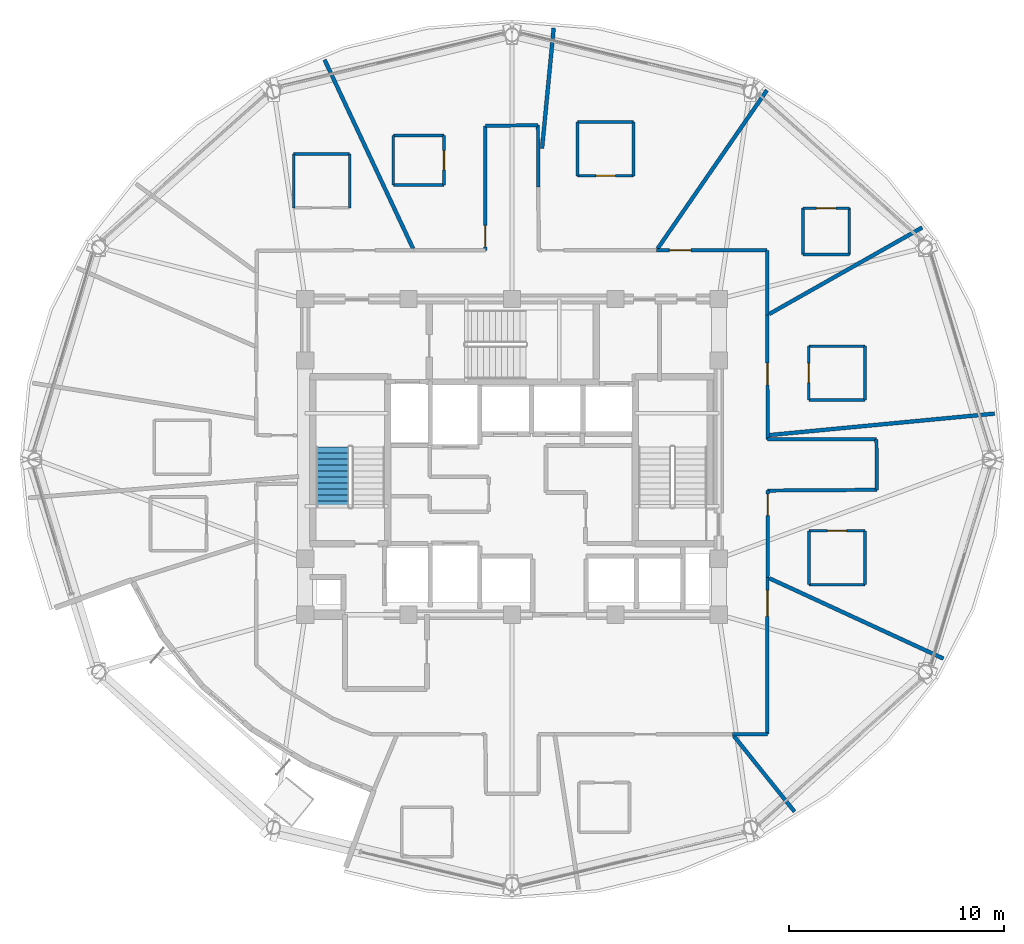
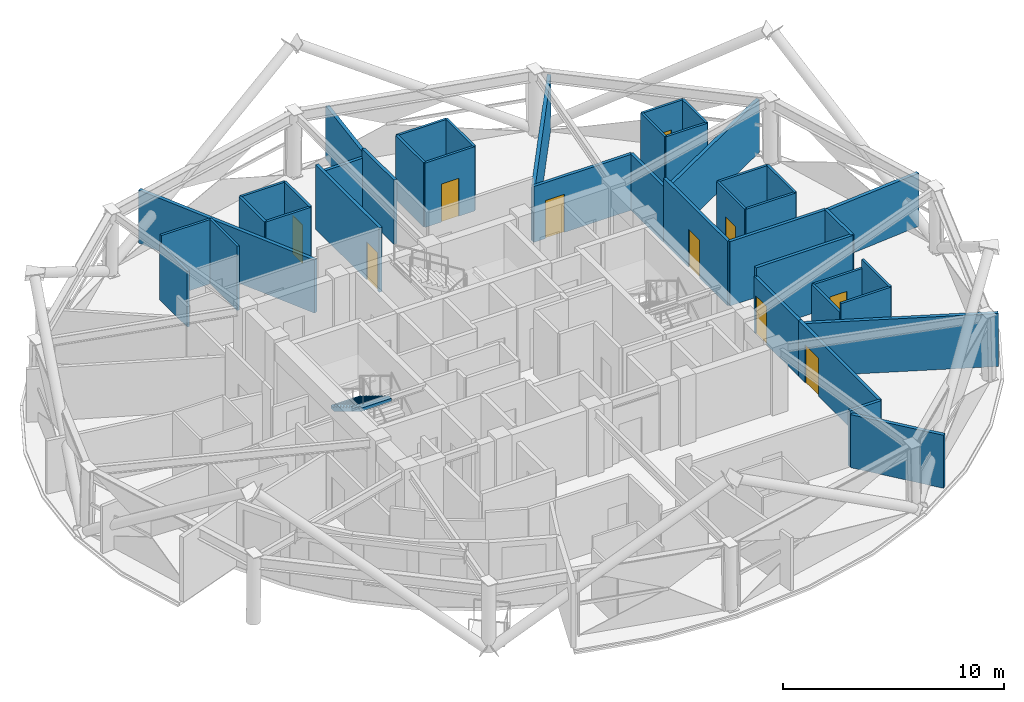
# One storey, part 13 of 18: 42 walls, 10 doors, 1 stair flight, 10 openings, 1 element without a shape of its own.
"""IFC4 building model written with IfcOpenShell, lengths in metres."""

from ifc_helpers import new_model, si_unit, direction, frame, frame_2d, origin, place, context, subcontext, project, spatial, polyline, rectangle, outline, extrude, material, layer, layer_set, type_object, element, fill, aggregate, save


model = new_model("IFC4")

# Units and contexts
model_context = context("Model", 3, precision=1e-05, world=origin(), true_north=direction((0.0, 1.0)))
body_context = subcontext(model_context, "Body", "Model", "MODEL_VIEW")
ifc_project = project(units=[si_unit("LENGTHUNIT", "METRE"), si_unit("AREAUNIT", "SQUARE_METRE"), si_unit("VOLUMEUNIT", "CUBIC_METRE"), si_unit("PLANEANGLEUNIT", "RADIAN"), si_unit("MASSUNIT", "GRAM", prefix="KILO")], contexts=[model_context])

# Site, building, storey
site_placement = place(None, origin())
site = spatial("IfcSite", under=ifc_project, at=site_placement, CompositionType="ELEMENT")
building_placement = place(site_placement, origin())
building = spatial("IfcBuilding", under=site, at=building_placement, Name="Vantalir Tower", CompositionType="ELEMENT")
storey_placement = place(building_placement, frame((0.0, 0.0, 212.39990234375)))
storey = spatial("IfcBuildingStorey", under=building, at=storey_placement, Name="L53", CompositionType="ELEMENT", Elevation=212.39990234375)

# Walls
ifc_material_1 = material(Name="Moisture-resistant en-suite partition", Category="gypsum")
ifc_layer_1 = layer(ifc_material_1, 0.125)
ifc_layer_set_1 = layer_set([ifc_layer_1], Name="Moisture-resistant en-suite partition")
wall_type_1 = type_object("IfcWallType", Name="WL-BATH-125", PredefinedType="PARTITIONING", material=ifc_layer_set_1)
for number, where, z_axis, x_axis, name in (
    (1, (45.280029296875, 27.76611328125, 0.0), (0.0, 0.0, 1.0), (1.0, 0.0, 0.0), "L53 En-suite 01 South Wall"),
    (2, (45.280029296875, 30.26611328125, 0.0), (0.0, 0.0, 1.0), (1.0, 0.0, 0.0), "L53 En-suite 01 North Wall"),
):
    element("IfcWall", number, at=place(storey_placement, frame(where, z_axis=z_axis, x_axis=x_axis)), inside=storey, type_object=wall_type_1, Name=name, PredefinedType="PARTITIONING", context=body_context, shape_type="SweptSolid", body=[
        extrude(rectangle(XDim=2.599853515625, YDim=0.125, at=frame_2d((1.2998046875, 0.0))), origin(), (0.0, 0.0, 1.0), 3.550048828125),
    ])

# Wall, opening, door
wall_1_placement = place(storey_placement, frame((45.280029296875, 27.76611328125, 0.0), z_axis=(0.0, 0.0, 1.0), x_axis=(0.0, 1.0, 0.0)))
wall_1 = element("IfcWall", 3, at=wall_1_placement, inside=storey, type_object=wall_type_1, Name="L53 En-suite 01 West Wall", PredefinedType="PARTITIONING", context=body_context, shape_type="SweptSolid", body=[
    extrude(rectangle(XDim=2.5, YDim=0.125, at=frame_2d((1.25, 0.0))), origin(), (0.0, 0.0, 1.0), 3.550048828125),
])
opening_1_placement = place(wall_1_placement, frame((0.800048828125, 0.0, 0.0)))
opening_1 = element("IfcOpeningElement", 4, at=opening_1_placement, cuts=wall_1, Name="Opening D-WC", PredefinedType="OPENING", context=body_context, shape_type="SweptSolid", body=[
    extrude(rectangle(XDim=0.89990234375, YDim=2.10009765625, at=frame_2d((0.449951171875, 1.050048828125))), frame((0.0, 0.072509765625, 0.0), z_axis=(0.0, -1.0, 0.0), x_axis=(1.0, 0.0, 0.0)), (0.0, 0.0, 1.0), 0.14501953125),
])
ifc_material_2 = material(Name="Moisture-resistant hardwood door", Category="wood")
door_type_1 = type_object("IfcDoorType", Name="DR-ENSUITE-900", OperationType="NOTDEFINED", PredefinedType="DOOR", material=ifc_material_2)
door_1_placement = place(opening_1_placement, frame((0.89990234375, 0.0, 0.0), z_axis=(0.0, 0.0, 1.0), x_axis=(-1.0, 0.0, 0.0)))
door_1 = element("IfcDoor", 5, at=door_1_placement, inside=storey, type_object=door_type_1, Name="L53 En-suite 01 Door", OperationType="SINGLE_SWING_LEFT", OverallHeight=2.10009765625, OverallWidth=0.89990234375, PredefinedType="DOOR", context=body_context, shape_type="SweptSolid", body=[
    extrude(rectangle(XDim=0.89990234375, YDim=2.10009765625, at=frame_2d((0.449951171875, 1.050048828125))), frame((0.0, 0.02490234375, 0.0), z_axis=(0.0, -1.0, 0.0), x_axis=(1.0, 0.0, 0.0)), (0.0, 0.0, 1.0), 0.050048828125),
])
fill(opening_1, door_1)

# Walls
wall_2_placement = place(storey_placement, frame((47.8798828125, 27.76611328125, 0.0), z_axis=(0.0, 0.0, 1.0), x_axis=(0.0, 1.0, 0.0)))
element("IfcWall", 6, at=wall_2_placement, inside=storey, type_object=wall_type_1, Name="L53 En-suite 01 East Wall", PredefinedType="PARTITIONING", context=body_context, shape_type="SweptSolid", body=[
    extrude(rectangle(XDim=2.5, YDim=0.125, at=frame_2d((1.25, 0.0))), origin(), (0.0, 0.0, 1.0), 3.550048828125),
])
wall_3_placement = place(storey_placement, frame((45.0048828125, 34.51806640625, 0.0), z_axis=(0.0, 0.0, 1.0), x_axis=(1.0, 0.0, 0.0)))
element("IfcWall", 7, at=wall_3_placement, inside=storey, type_object=wall_type_1, Name="L53 En-suite 02 South Wall", PredefinedType="PARTITIONING", context=body_context, shape_type="SweptSolid", body=[
    extrude(rectangle(XDim=2.150146484375, YDim=0.125, at=frame_2d((1.0751953125, 0.0))), origin(), (0.0, 0.0, 1.0), 3.550048828125),
])

# Wall, opening, door
wall_4_placement = place(storey_placement, frame((45.0048828125, 36.66796875, 0.0), z_axis=(0.0, 0.0, 1.0), x_axis=(1.0, 0.0, 0.0)))
wall_4 = element("IfcWall", 8, at=wall_4_placement, inside=storey, type_object=wall_type_1, Name="L53 En-suite 02 North Wall", PredefinedType="PARTITIONING", context=body_context, shape_type="SweptSolid", body=[
    extrude(rectangle(XDim=2.150146484375, YDim=0.125, at=frame_2d((1.0751953125, 0.0))), origin(), (0.0, 0.0, 1.0), 3.550048828125),
])
opening_2_placement = place(wall_4_placement, frame((0.625, 0.0, 0.0)))
opening_2 = element("IfcOpeningElement", 9, at=opening_2_placement, cuts=wall_4, Name="Opening D-WC", PredefinedType="OPENING", context=body_context, shape_type="SweptSolid", body=[
    extrude(rectangle(XDim=0.89990234375, YDim=2.10009765625, at=frame_2d((0.449951171875, 1.050048828125))), frame((0.0, 0.072509765625, 0.0), z_axis=(0.0, -1.0, 0.0), x_axis=(1.0, 0.0, 0.0)), (0.0, 0.0, 1.0), 0.14501953125),
])
door_2_placement = place(opening_2_placement, frame((0.89990234375, 0.0, 0.0), z_axis=(0.0, 0.0, 1.0), x_axis=(-1.0, 0.0, 0.0)))
door_2 = element("IfcDoor", 10, at=door_2_placement, inside=storey, type_object=door_type_1, Name="L53 En-suite 02 Door", OperationType="SINGLE_SWING_RIGHT", OverallHeight=2.10009765625, OverallWidth=0.89990234375, PredefinedType="DOOR", context=body_context, shape_type="SweptSolid", body=[
    extrude(rectangle(XDim=0.89990234375, YDim=2.10009765625, at=frame_2d((0.449951171875, 1.050048828125))), frame((0.0, 0.02490234375, 0.0), z_axis=(0.0, -1.0, 0.0), x_axis=(1.0, 0.0, 0.0)), (0.0, 0.0, 1.0), 0.050048828125),
])
fill(opening_2, door_2)

# Walls
for number, where, z_axis, x_axis, name in (
    (11, (45.0048828125, 34.51806640625, 0.0), (0.0, 0.0, 1.0), (0.0, 1.0, 0.0), "L53 En-suite 02 West Wall"),
    (12, (47.155029296875, 34.51806640625, 0.0), (0.0, 0.0, 1.0), (0.0, 1.0, 0.0), "L53 En-suite 02 East Wall"),
):
    element("IfcWall", number, at=place(storey_placement, frame(where, z_axis=z_axis, x_axis=x_axis)), inside=storey, type_object=wall_type_1, Name=name, PredefinedType="PARTITIONING", context=body_context, shape_type="SweptSolid", body=[
        extrude(rectangle(XDim=2.14990234375, YDim=0.125, at=frame_2d((1.074951171875, 0.0))), origin(), (0.0, 0.0, 1.0), 3.550048828125),
    ])

# Wall, opening, door
wall_5_placement = place(storey_placement, frame((34.54296875, 38.172119140625, 0.0), z_axis=(0.0, 0.0, 1.0), x_axis=(1.0, 0.0, 0.0)))
wall_5 = element("IfcWall", 13, at=wall_5_placement, inside=storey, type_object=wall_type_1, Name="L53 En-suite 03 South Wall", PredefinedType="PARTITIONING", context=body_context, shape_type="SweptSolid", body=[
    extrude(rectangle(XDim=2.60009765625, YDim=0.125, at=frame_2d((1.300048828125, 0.0))), origin(), (0.0, 0.0, 1.0), 3.550048828125),
])
opening_3_placement = place(wall_5_placement, frame((0.85009765625, 0.0, 0.0)))
opening_3 = element("IfcOpeningElement", 14, at=opening_3_placement, cuts=wall_5, Name="Opening D-WC", PredefinedType="OPENING", context=body_context, shape_type="SweptSolid", body=[
    extrude(rectangle(XDim=0.89990234375, YDim=2.10009765625, at=frame_2d((0.449951171875, 1.050048828125))), frame((0.0, 0.072509765625, 0.0), z_axis=(0.0, -1.0, 0.0), x_axis=(1.0, 0.0, 0.0)), (0.0, 0.0, 1.0), 0.14501953125),
])
door_3_placement = place(opening_3_placement, origin())
door_3 = element("IfcDoor", 15, at=door_3_placement, inside=storey, type_object=door_type_1, Name="L53 En-suite 03 Door", OperationType="SINGLE_SWING_LEFT", OverallHeight=2.10009765625, OverallWidth=0.89990234375, PredefinedType="DOOR", context=body_context, shape_type="SweptSolid", body=[
    extrude(rectangle(XDim=0.89990234375, YDim=2.10009765625, at=frame_2d((0.449951171875, 1.050048828125))), frame((0.0, 0.02490234375, 0.0), z_axis=(0.0, -1.0, 0.0), x_axis=(1.0, 0.0, 0.0)), (0.0, 0.0, 1.0), 0.050048828125),
])
fill(opening_3, door_3)

# Walls
wall_6_placement = place(storey_placement, frame((34.54296875, 40.672119140625, 0.0), z_axis=(0.0, 0.0, 1.0), x_axis=(1.0, 0.0, 0.0)))
element("IfcWall", 16, at=wall_6_placement, inside=storey, type_object=wall_type_1, Name="L53 En-suite 03 North Wall", PredefinedType="PARTITIONING", context=body_context, shape_type="SweptSolid", body=[
    extrude(rectangle(XDim=2.60009765625, YDim=0.125, at=frame_2d((1.300048828125, 0.0))), origin(), (0.0, 0.0, 1.0), 3.550048828125),
])
for number, where, z_axis, x_axis, name in (
    (17, (34.54296875, 38.172119140625, 0.0), (0.0, 0.0, 1.0), (0.0, 1.0, 0.0), "L53 En-suite 03 West Wall"),
    (18, (37.14306640625, 38.172119140625, 0.0), (0.0, 0.0, 1.0), (0.0, 1.0, 0.0), "L53 En-suite 03 East Wall"),
):
    element("IfcWall", number, at=place(storey_placement, frame(where, z_axis=z_axis, x_axis=x_axis)), inside=storey, type_object=wall_type_1, Name=name, PredefinedType="PARTITIONING", context=body_context, shape_type="SweptSolid", body=[
        extrude(rectangle(XDim=2.5, YDim=0.125, at=frame_2d((1.25, 0.0))), origin(), (0.0, 0.0, 1.0), 3.550048828125),
    ])
for number, where, z_axis, x_axis, name in (
    (19, (25.9951171875, 37.742919921875, 0.0), (0.0, 0.0, 1.0), (1.0, 0.0, 0.0), "L53 En-suite 04 South Wall"),
    (20, (25.9951171875, 40.04296875, 0.0), (0.0, 0.0, 1.0), (1.0, 0.0, 0.0), "L53 En-suite 04 North Wall"),
):
    element("IfcWall", number, at=place(storey_placement, frame(where, z_axis=z_axis, x_axis=x_axis)), inside=storey, type_object=wall_type_1, Name=name, PredefinedType="PARTITIONING", context=body_context, shape_type="SweptSolid", body=[
        extrude(rectangle(XDim=2.349853515625, YDim=0.125, at=frame_2d((1.1748046875, 0.0))), origin(), (0.0, 0.0, 1.0), 3.550048828125),
    ])
wall_7_placement = place(storey_placement, frame((25.9951171875, 37.742919921875, 0.0), z_axis=(0.0, 0.0, 1.0), x_axis=(0.0, 1.0, 0.0)))
element("IfcWall", 21, at=wall_7_placement, inside=storey, type_object=wall_type_1, Name="L53 En-suite 04 West Wall", PredefinedType="PARTITIONING", context=body_context, shape_type="SweptSolid", body=[
    extrude(rectangle(XDim=2.300048828125, YDim=0.125, at=frame_2d((1.14990234375, 0.0))), origin(), (0.0, 0.0, 1.0), 3.550048828125),
])

# Wall, opening, door
wall_8_placement = place(storey_placement, frame((28.344970703125, 37.742919921875, 0.0), z_axis=(0.0, 0.0, 1.0), x_axis=(0.0, 1.0, 0.0)))
wall_8 = element("IfcWall", 22, at=wall_8_placement, inside=storey, type_object=wall_type_1, Name="L53 En-suite 04 East Wall", PredefinedType="PARTITIONING", context=body_context, shape_type="SweptSolid", body=[
    extrude(rectangle(XDim=2.300048828125, YDim=0.125, at=frame_2d((1.14990234375, 0.0))), origin(), (0.0, 0.0, 1.0), 3.550048828125),
])
opening_4_placement = place(wall_8_placement, frame((0.699951171875, 0.0, 0.0)))
opening_4 = element("IfcOpeningElement", 23, at=opening_4_placement, cuts=wall_8, Name="Opening D-WC", PredefinedType="OPENING", context=body_context, shape_type="SweptSolid", body=[
    extrude(rectangle(XDim=0.89990234375, YDim=2.10009765625, at=frame_2d((0.449951171875, 1.050048828125))), frame((0.0, 0.072509765625, 0.0), z_axis=(0.0, -1.0, 0.0), x_axis=(1.0, 0.0, 0.0)), (0.0, 0.0, 1.0), 0.14501953125),
])
door_4_placement = place(opening_4_placement, origin())
door_4 = element("IfcDoor", 24, at=door_4_placement, inside=storey, type_object=door_type_1, Name="L53 En-suite 04 Door", OperationType="SINGLE_SWING_RIGHT", OverallHeight=2.10009765625, OverallWidth=0.89990234375, PredefinedType="DOOR", context=body_context, shape_type="SweptSolid", body=[
    extrude(rectangle(XDim=0.89990234375, YDim=2.10009765625, at=frame_2d((0.449951171875, 1.050048828125))), frame((0.0, 0.02490234375, 0.0), z_axis=(0.0, -1.0, 0.0), x_axis=(1.0, 0.0, 0.0)), (0.0, 0.0, 1.0), 0.050048828125),
])
fill(opening_4, door_4)

# Walls
wall_9_placement = place(storey_placement, frame((21.364990234375, 39.18310546875, 0.0), z_axis=(0.0, 0.0, 1.0), x_axis=(1.0, 0.0, 0.0)))
element("IfcWall", 25, at=wall_9_placement, inside=storey, type_object=wall_type_1, Name="L53 En-suite 05 North Wall", PredefinedType="PARTITIONING", context=body_context, shape_type="SweptSolid", body=[
    extrude(rectangle(XDim=2.60009765625, YDim=0.125, at=frame_2d((1.300048828125, 0.0))), origin(), (0.0, 0.0, 1.0), 3.550048828125),
])
wall_10_placement = place(storey_placement, frame((21.364990234375, 36.68310546875, 0.0), z_axis=(0.0, 0.0, 1.0), x_axis=(0.0, 1.0, 0.0)))
element("IfcWall", 26, at=wall_10_placement, inside=storey, type_object=wall_type_1, Name="L53 En-suite 05 West Wall", PredefinedType="PARTITIONING", context=body_context, shape_type="SweptSolid", body=[
    extrude(rectangle(XDim=2.5, YDim=0.125, at=frame_2d((1.25, 0.0))), origin(), (0.0, 0.0, 1.0), 3.0810546875),
])
wall_11_placement = place(storey_placement, frame((23.965087890625, 36.68310546875, 0.0), z_axis=(0.0, 0.0, 1.0), x_axis=(0.0, 1.0, 0.0)))
element("IfcWall", 27, at=wall_11_placement, inside=storey, type_object=wall_type_1, Name="L53 En-suite 05 East Wall", PredefinedType="PARTITIONING", context=body_context, shape_type="SweptSolid", body=[
    extrude(rectangle(XDim=2.5, YDim=0.125, at=frame_2d((1.25, 0.0))), origin(), (0.0, 0.0, 1.0), 3.550048828125),
])
wall_12_placement = place(storey_placement, frame((45.282958984375, 19.18994140625, 0.0), z_axis=(0.0, 0.0, 1.0), x_axis=(1.0, 0.0, 0.0)))
element("IfcWall", 28, at=wall_12_placement, inside=storey, type_object=wall_type_1, Name="L53 En-suite 14 South Wall", PredefinedType="PARTITIONING", context=body_context, shape_type="SweptSolid", body=[
    extrude(rectangle(XDim=2.60009765625, YDim=0.125, at=frame_2d((1.300048828125, 0.0))), origin(), (0.0, 0.0, 1.0), 3.550048828125),
])

# Wall, opening, door
wall_13_placement = place(storey_placement, frame((45.282958984375, 21.68994140625, 0.0), z_axis=(0.0, 0.0, 1.0), x_axis=(1.0, 0.0, 0.0)))
wall_13 = element("IfcWall", 29, at=wall_13_placement, inside=storey, type_object=wall_type_1, Name="L53 En-suite 14 North Wall", PredefinedType="PARTITIONING", context=body_context, shape_type="SweptSolid", body=[
    extrude(rectangle(XDim=2.60009765625, YDim=0.125, at=frame_2d((1.300048828125, 0.0))), origin(), (0.0, 0.0, 1.0), 3.0810546875),
])
opening_5_placement = place(wall_13_placement, frame((0.85009765625, 0.0, 0.0)))
opening_5 = element("IfcOpeningElement", 30, at=opening_5_placement, cuts=wall_13, Name="Opening D-WC", PredefinedType="OPENING", context=body_context, shape_type="SweptSolid", body=[
    extrude(rectangle(XDim=0.89990234375, YDim=2.10009765625, at=frame_2d((0.449951171875, 1.050048828125))), frame((0.0, 0.072509765625, 0.0), z_axis=(0.0, -1.0, 0.0), x_axis=(1.0, 0.0, 0.0)), (0.0, 0.0, 1.0), 0.14501953125),
])
door_5_placement = place(opening_5_placement, frame((0.89990234375, 0.0, 0.0), z_axis=(0.0, 0.0, 1.0), x_axis=(-1.0, 0.0, 0.0)))
door_5 = element("IfcDoor", 31, at=door_5_placement, inside=storey, type_object=door_type_1, Name="L53 En-suite 14 Door", OperationType="SINGLE_SWING_RIGHT", OverallHeight=2.10009765625, OverallWidth=0.89990234375, PredefinedType="DOOR", context=body_context, shape_type="SweptSolid", body=[
    extrude(rectangle(XDim=0.89990234375, YDim=2.10009765625, at=frame_2d((0.449951171875, 1.050048828125))), frame((0.0, 0.02490234375, 0.0), z_axis=(0.0, -1.0, 0.0), x_axis=(1.0, 0.0, 0.0)), (0.0, 0.0, 1.0), 0.050048828125),
])
fill(opening_5, door_5)

# Walls
wall_14_placement = place(storey_placement, frame((45.282958984375, 19.18994140625, 0.0), z_axis=(0.0, 0.0, 1.0), x_axis=(0.0, 1.0, 0.0)))
element("IfcWall", 32, at=wall_14_placement, inside=storey, type_object=wall_type_1, Name="L53 En-suite 14 West Wall", PredefinedType="PARTITIONING", context=body_context, shape_type="SweptSolid", body=[
    extrude(rectangle(XDim=2.5, YDim=0.125, at=frame_2d((1.25, 0.0))), origin(), (0.0, 0.0, 1.0), 3.0810546875),
])
wall_15_placement = place(storey_placement, frame((47.883056640625, 19.18994140625, 0.0), z_axis=(0.0, 0.0, 1.0), x_axis=(0.0, 1.0, 0.0)))
element("IfcWall", 33, at=wall_15_placement, inside=storey, type_object=wall_type_1, Name="L53 En-suite 14 East Wall", PredefinedType="PARTITIONING", context=body_context, shape_type="SweptSolid", body=[
    extrude(rectangle(XDim=2.5, YDim=0.125, at=frame_2d((1.25, 0.0))), origin(), (0.0, 0.0, 1.0), 3.550048828125),
])

# Wall, opening, door
ifc_material_3 = material(Name="Fire-rated hotel corridor acoustic partition", Category="gypsum")
ifc_layer_2 = layer(ifc_material_3, 0.159912109375)
ifc_layer_set_2 = layer_set([ifc_layer_2], Name="Fire-rated hotel corridor acoustic partition")
wall_type_2 = type_object("IfcWallType", Name="WL-CORR-160", PredefinedType="PARTITIONING", material=ifc_layer_set_2)
wall_16_placement = place(storey_placement, frame((30.260009765625, 34.715087890625, 0.0), z_axis=(0.0, 0.0, 1.0), x_axis=(0.000507142188, 0.999999871403, 0.0)))
wall_16 = element("IfcWall", 34, at=wall_16_placement, inside=storey, type_object=wall_type_2, Name="L53 Corridor Partition 08", PredefinedType="PARTITIONING", context=body_context, shape_type="SweptSolid", body=[
    extrude(rectangle(XDim=5.77685546875, YDim=0.159912109375, at=frame_2d((2.888427734375, 0.0))), origin(), (0.0, 0.0, 1.0), 3.550048828125),
])
opening_6_placement = place(wall_16_placement, frame((0.159912109375, 0.0, 0.0)))
opening_6 = element("IfcOpeningElement", 35, at=opening_6_placement, cuts=wall_16, Name="Opening D-GUEST", PredefinedType="OPENING", context=body_context, shape_type="SweptSolid", body=[
    extrude(rectangle(XDim=1.0, YDim=2.10009765625, at=frame_2d((0.5, 1.050048828125))), frame((0.0, 0.08984375, 0.0), z_axis=(0.0, -1.0, 0.0), x_axis=(1.0, 0.0, 0.0)), (0.0, 0.0, 1.0), 0.179931640625),
])
ifc_material_4 = material(Name="Solid-core teak veneer acoustic fire door", Category="wood")
door_type_2 = type_object("IfcDoorType", Name="DR-GUEST-ENTRY-1000", OperationType="NOTDEFINED", PredefinedType="DOOR", material=ifc_material_4)
door_6_placement = place(opening_6_placement, origin())
door_6 = element("IfcDoor", 36, at=door_6_placement, inside=storey, type_object=door_type_2, Name="L53 Deluxe King Hotel Room 04 Door", OperationType="SINGLE_SWING_LEFT", OverallHeight=2.10009765625, OverallWidth=1.0, PredefinedType="DOOR", context=body_context, shape_type="SweptSolid", body=[
    extrude(rectangle(XDim=1.0, YDim=2.10009765625, at=frame_2d((0.5, 1.050048828125))), frame((0.0, 0.02490234375, 0.0), z_axis=(0.0, -1.0, 0.0), x_axis=(1.0, 0.0, 0.0)), (0.0, 0.0, 1.0), 0.050048828125),
])
fill(opening_6, door_6)

# Walls
wall_17_placement = place(storey_placement, frame((30.262939453125, 40.491943359375, 0.0), z_axis=(0.0, 0.0, 1.0), x_axis=(0.999946948611, 0.010300483619, 0.0)))
element("IfcWall", 37, at=wall_17_placement, inside=storey, type_object=wall_type_2, Name="L53 Corridor Partition 09", PredefinedType="PARTITIONING", context=body_context, shape_type="SweptSolid", body=[
    extrude(rectangle(XDim=2.44140625, YDim=0.159912109375, at=frame_2d((1.220703125, 0.0))), origin(), (0.0, 0.0, 1.0), 3.0810546875),
])
wall_18_placement = place(storey_placement, frame((32.7041015625, 40.51708984375, 0.0), z_axis=(0.0, 0.0, 1.0), x_axis=(0.006198929807, -0.99998078645, 0.0)))
element("IfcWall", 38, at=wall_18_placement, inside=storey, type_object=wall_type_2, Name="L53 Corridor Partition 10", PredefinedType="PARTITIONING", context=body_context, shape_type="SweptSolid", body=[
    extrude(rectangle(XDim=2.875, YDim=0.159912109375, at=frame_2d((1.4375, 0.0))), origin(), (0.0, 0.0, 1.0), 3.550048828125),
])

# Wall, opening, door
wall_19_placement = place(storey_placement, frame((38.202880859375, 34.7119140625, 0.0), z_axis=(0.0, 0.0, 1.0), x_axis=(0.999999711676, -0.000759373298, 0.0)))
wall_19 = element("IfcWall", 39, at=wall_19_placement, inside=storey, type_object=wall_type_2, Name="L53 Corridor Partition 13", PredefinedType="PARTITIONING", context=body_context, shape_type="SweptSolid", body=[
    extrude(rectangle(XDim=5.14404296875, YDim=0.159912109375, at=frame_2d((2.572021484375, 0.0))), origin(), (0.0, 0.0, 1.0), 3.0810546875),
])
opening_7_placement = place(wall_19_placement, frame((0.60107421875, 0.0, 0.0)))
opening_7 = element("IfcOpeningElement", 40, at=opening_7_placement, cuts=wall_19, Name="Opening D-GUEST", PredefinedType="OPENING", context=body_context, shape_type="SweptSolid", body=[
    extrude(rectangle(XDim=1.0, YDim=2.10009765625, at=frame_2d((0.5, 1.050048828125))), frame((0.0, 0.08984375, 0.0), z_axis=(0.0, -1.0, 0.0), x_axis=(1.0, 0.0, 0.0)), (0.0, 0.0, 1.0), 0.179931640625),
])
door_7_placement = place(opening_7_placement, origin())
door_7 = element("IfcDoor", 41, at=door_7_placement, inside=storey, type_object=door_type_2, Name="L53 Deluxe King Hotel Room 02 Door", OperationType="SINGLE_SWING_LEFT", OverallHeight=2.10009765625, OverallWidth=1.0, PredefinedType="DOOR", context=body_context, shape_type="SweptSolid", body=[
    extrude(rectangle(XDim=1.0, YDim=2.10009765625, at=frame_2d((0.5, 1.050048828125))), frame((0.0, 0.02490234375, 0.0), z_axis=(0.0, -1.0, 0.0), x_axis=(1.0, 0.0, 0.0)), (0.0, 0.0, 1.0), 0.050048828125),
])
fill(opening_7, door_7)

# Wall
wall_20_placement = place(storey_placement, frame((43.346923828125, 34.7080078125, 0.0), z_axis=(0.0, 0.0, 1.0), x_axis=(0.00203317732, -0.999997933093, 0.0)))
element("IfcWall", 42, at=wall_20_placement, inside=storey, type_object=wall_type_2, Name="L53 Corridor Partition 14", PredefinedType="PARTITIONING", context=body_context, shape_type="SweptSolid", body=[
    extrude(rectangle(XDim=3.001953125, YDim=0.159912109375, at=frame_2d((1.5009765625, 0.0))), origin(), (0.0, 0.0, 1.0), 3.0810546875),
])

# Wall, opening, door
wall_21_placement = place(storey_placement, frame((43.35302734375, 31.7060546875, 0.0), z_axis=(0.0, 0.0, 1.0), x_axis=(0.002074684332, -0.99999784784, 0.0)))
wall_21 = element("IfcWall", 43, at=wall_21_placement, inside=storey, type_object=wall_type_2, Name="L53 Corridor Partition 15", PredefinedType="PARTITIONING", context=body_context, shape_type="SweptSolid", body=[
    extrude(rectangle(XDim=5.76611328125, YDim=0.159912109375, at=frame_2d((2.883056640625, 0.0))), origin(), (0.0, 0.0, 1.0), 3.550048828125),
])
opening_8_placement = place(wall_21_placement, frame((2.235107421875, 0.0, 0.0)))
opening_8 = element("IfcOpeningElement", 44, at=opening_8_placement, cuts=wall_21, Name="Opening D-GUEST", PredefinedType="OPENING", context=body_context, shape_type="SweptSolid", body=[
    extrude(rectangle(XDim=1.0, YDim=2.10009765625, at=frame_2d((0.5, 1.050048828125))), frame((0.0, 0.08984375, 0.0), z_axis=(0.0, -1.0, 0.0), x_axis=(1.0, 0.0, 0.0)), (0.0, 0.0, 1.0), 0.179931640625),
])
door_8_placement = place(opening_8_placement, origin())
door_8 = element("IfcDoor", 45, at=door_8_placement, inside=storey, type_object=door_type_2, Name="L53 Twin Queen Hotel Room 01 Door", OperationType="SINGLE_SWING_RIGHT", OverallHeight=2.10009765625, OverallWidth=1.0, PredefinedType="DOOR", context=body_context, shape_type="SweptSolid", body=[
    extrude(rectangle(XDim=1.0, YDim=2.10009765625, at=frame_2d((0.5, 1.050048828125))), frame((0.0, 0.02490234375, 0.0), z_axis=(0.0, -1.0, 0.0), x_axis=(1.0, 0.0, 0.0)), (0.0, 0.0, 1.0), 0.050048828125),
])
fill(opening_8, door_8)

# Walls
wall_22_placement = place(storey_placement, frame((43.364990234375, 25.93994140625, 0.0), z_axis=(0.0, 0.0, 1.0), x_axis=(0.999999831724, -0.000580130432, 0.0)))
element("IfcWall", 46, at=wall_22_placement, inside=storey, type_object=wall_type_2, Name="L53 Corridor Partition 16", PredefinedType="PARTITIONING", context=body_context, shape_type="SweptSolid", body=[
    extrude(rectangle(XDim=5.050048828125, YDim=0.159912109375, at=frame_2d((2.52490234375, 0.0))), origin(), (0.0, 0.0, 1.0), 3.550048828125),
])
wall_23_placement = place(storey_placement, frame((48.4150390625, 25.93701171875, 0.0), z_axis=(0.0, 0.0, 1.0), x_axis=(0.010636586698, -0.999943429912, 0.0)))
element("IfcWall", 47, at=wall_23_placement, inside=storey, type_object=wall_type_2, Name="L53 Corridor Partition 17", PredefinedType="PARTITIONING", context=body_context, shape_type="SweptSolid", body=[
    extrude(rectangle(XDim=2.34130859375, YDim=0.159912109375, at=frame_2d((1.170654296875, 0.0))), origin(), (0.0, 0.0, 1.0), 3.550048828125),
])
wall_24_placement = place(storey_placement, frame((48.43994140625, 23.595947265625, 0.0), z_axis=(0.0, 0.0, 1.0), x_axis=(-0.999974996273, -0.007071550702, 0.0)))
element("IfcWall", 48, at=wall_24_placement, inside=storey, type_object=wall_type_2, Name="L53 Corridor Partition 18", PredefinedType="PARTITIONING", context=body_context, shape_type="SweptSolid", body=[
    extrude(rectangle(XDim=5.0751953125, YDim=0.159912109375, at=frame_2d((2.53759765625, 0.0))), origin(), (0.0, 0.0, 1.0), 3.550048828125),
])

# Wall, opening, door
wall_25_placement = place(storey_placement, frame((43.364990234375, 23.56005859375, 0.0), z_axis=(0.0, 0.0, 1.0), x_axis=(-0.001211312781, -0.99999926636, 0.0)))
wall_25 = element("IfcWall", 49, at=wall_25_placement, inside=storey, type_object=wall_type_2, Name="L53 Corridor Partition 19", PredefinedType="PARTITIONING", context=body_context, shape_type="SweptSolid", body=[
    extrude(rectangle(XDim=4.031005859375, YDim=0.159912109375, at=frame_2d((2.015625, 0.0))), origin(), (0.0, 0.0, 1.0), 3.0810546875),
])
opening_9_placement = place(wall_25_placement, frame((0.159912109375, 0.0, 0.0)))
opening_9 = element("IfcOpeningElement", 50, at=opening_9_placement, cuts=wall_25, Name="Opening D-GUEST", PredefinedType="OPENING", context=body_context, shape_type="SweptSolid", body=[
    extrude(rectangle(XDim=1.0, YDim=2.10009765625, at=frame_2d((0.5, 1.050048828125))), frame((0.0, 0.08984375, 0.0), z_axis=(0.0, -1.0, 0.0), x_axis=(1.0, 0.0, 0.0)), (0.0, 0.0, 1.0), 0.179931640625),
])
door_9_placement = place(opening_9_placement, origin())
door_9 = element("IfcDoor", 51, at=door_9_placement, inside=storey, type_object=door_type_2, Name="L53 Twin Queen Hotel Room 14 Door", OperationType="SINGLE_SWING_LEFT", OverallHeight=2.10009765625, OverallWidth=1.0, PredefinedType="DOOR", context=body_context, shape_type="SweptSolid", body=[
    extrude(rectangle(XDim=1.0, YDim=2.10009765625, at=frame_2d((0.5, 1.050048828125))), frame((0.0, 0.02490234375, 0.0), z_axis=(0.0, -1.0, 0.0), x_axis=(1.0, 0.0, 0.0)), (0.0, 0.0, 1.0), 0.050048828125),
])
fill(opening_9, door_9)

wall_26_placement = place(storey_placement, frame((43.360107421875, 19.529052734375, 0.0), z_axis=(0.0, 0.0, 1.0), x_axis=(-0.001376854092, -0.999999052136, 0.0)))
wall_26 = element("IfcWall", 52, at=wall_26_placement, inside=storey, type_object=wall_type_2, Name="L53 Corridor Partition 20", PredefinedType="PARTITIONING", context=body_context, shape_type="SweptSolid", body=[
    extrude(rectangle(XDim=7.27001953125, YDim=0.159912109375, at=frame_2d((3.635009765625, 0.0))), origin(), (0.0, 0.0, 1.0), 3.0810546875),
])
opening_10_placement = place(wall_26_placement, frame((0.60205078125, 0.0, 0.0)))
opening_10 = element("IfcOpeningElement", 53, at=opening_10_placement, cuts=wall_26, Name="Opening D-STE", PredefinedType="OPENING", context=body_context, shape_type="SweptSolid", body=[
    extrude(rectangle(XDim=1.199951171875, YDim=2.10009765625, at=frame_2d((0.60009765625, 1.050048828125))), frame((0.0, 0.08984375, 0.0), z_axis=(0.0, -1.0, 0.0), x_axis=(1.0, 0.0, 0.0)), (0.0, 0.0, 1.0), 0.179931640625),
])
ifc_material_5 = material(Name="Solid-core teak veneer suite entrance door", Category="wood")
door_type_3 = type_object("IfcDoorType", Name="DR-SUITE-ENTRY-1200", OperationType="NOTDEFINED", PredefinedType="DOOR", material=ifc_material_5)
door_10_placement = place(opening_10_placement, origin())
door_10 = element("IfcDoor", 54, at=door_10_placement, inside=storey, type_object=door_type_3, Name="L53 Club Reading Lounge 13 Door", OperationType="SINGLE_SWING_RIGHT", OverallHeight=2.10009765625, OverallWidth=1.199951171875, PredefinedType="DOOR", context=body_context, shape_type="SweptSolid", body=[
    extrude(rectangle(XDim=1.199951171875, YDim=2.10009765625, at=frame_2d((0.60009765625, 1.050048828125))), frame((0.0, 0.02490234375, 0.0), z_axis=(0.0, -1.0, 0.0), x_axis=(1.0, 0.0, 0.0)), (0.0, 0.0, 1.0), 0.050048828125),
])
fill(opening_10, door_10)

# Walls
wall_27_placement = place(storey_placement, frame((43.35009765625, 12.259033203125, 0.0), z_axis=(0.0, 0.0, 1.0), x_axis=(-0.999999819205, -0.000601322802, 0.0)))
element("IfcWall", 55, at=wall_27_placement, inside=storey, type_object=wall_type_2, Name="L53 Corridor Partition 21", PredefinedType="PARTITIONING", context=body_context, shape_type="SweptSolid", body=[
    extrude(rectangle(XDim=1.6240234375, YDim=0.159912109375, at=frame_2d((0.81201171875, 0.0))), origin(), (0.0, 0.0, 1.0), 3.0810546875),
])
ifc_material_6 = material(Name="Twin-stud acoustic fire-rated gypsum partition", Category="gypsum")
ifc_layer_3 = layer(ifc_material_6, 0.179931640625)
ifc_layer_set_3 = layer_set([ifc_layer_3], Name="Twin-stud acoustic fire-rated gypsum partition")
wall_type_3 = type_object("IfcWallType", Name="WL-GUEST-180", PredefinedType="PARTITIONING", material=ifc_layer_set_3)
wall_28_placement = place(storey_placement, frame((43.43994140625, 26.135986328125, 0.0), z_axis=(0.0, 0.0, 1.0), x_axis=(0.995498186765, 0.094780589504, 0.0)))
element("IfcWall", 56, at=wall_28_placement, inside=storey, type_object=wall_type_3, Name="L53 Radial Suite Partition 01", PredefinedType="PARTITIONING", context=body_context, shape_type="SweptSolid", body=[
    extrude(rectangle(XDim=10.509521484375, YDim=0.179931640625, at=frame_2d((5.2548828125, 0.0))), origin(), (0.0, 0.0, 1.0), 2.925048828125),
])
wall_29_placement = place(storey_placement, frame((43.43994140625, 31.7548828125, 0.0), z_axis=(0.0, 0.0, 1.0), x_axis=(0.870388943292, 0.492364790978, 0.0)))
element("IfcWall", 57, at=wall_29_placement, inside=storey, type_object=wall_type_3, Name="L53 Radial Suite Partition 02", PredefinedType="PARTITIONING", context=body_context, shape_type="SweptSolid", body=[
    extrude(rectangle(XDim=8.16064453125, YDim=0.179931640625, at=frame_2d((4.080322265625, 0.0))), origin(), (0.0, 0.0, 1.0), 2.925048828125),
])
wall_30_placement = place(storey_placement, frame((38.257080078125, 34.7900390625, 0.0), z_axis=(0.0, 0.0, 1.0), x_axis=(0.568051508393, 0.822993003502, 0.0)))
element("IfcWall", 58, at=wall_30_placement, inside=storey, type_object=wall_type_3, Name="L53 Radial Suite Partition 03", PredefinedType="PARTITIONING", context=body_context, shape_type="SweptSolid", body=[
    extrude(rectangle(XDim=8.935791015625, YDim=0.179931640625, at=frame_2d((4.4677734375, 0.0))), origin(), (0.0, 0.0, 1.0), 2.925048828125),
])
wall_31_placement = place(storey_placement, frame((32.89599609375, 39.44189453125, 0.0), z_axis=(0.0, 0.0, 1.0), x_axis=(0.096090534139, 0.995372598201, 0.0)))
element("IfcWall", 59, at=wall_31_placement, inside=storey, type_object=wall_type_3, Name="L53 Radial Suite Partition 04", PredefinedType="PARTITIONING", context=body_context, shape_type="SweptSolid", body=[
    extrude(rectangle(XDim=5.60986328125, YDim=0.179931640625, at=frame_2d((2.804931640625, 0.0))), origin(), (0.0, 0.0, 1.0), 2.925048828125),
])
wall_32_placement = place(storey_placement, frame((26.909912109375, 34.7900390625, 0.0), z_axis=(0.0, 0.0, 1.0), x_axis=(-0.424550797124, 0.905404120082, 0.0)))
element("IfcWall", 60, at=wall_32_placement, inside=storey, type_object=wall_type_3, Name="L53 Radial Suite Partition 05", PredefinedType="PARTITIONING", context=body_context, shape_type="SweptSolid", body=[
    extrude(rectangle(XDim=9.682861328125, YDim=0.179931640625, at=frame_2d((4.84130859375, 0.0))), origin(), (0.0, 0.0, 1.0), 2.925048828125),
])
wall_33_placement = place(storey_placement, frame((41.79296875, 12.175048828125, 0.0), z_axis=(0.0, 0.0, 1.0), x_axis=(0.625823446247, -0.77996475185, 0.0)))
element("IfcWall", 61, at=wall_33_placement, inside=storey, type_object=wall_type_3, Name="L53 Radial Suite Partition 13", PredefinedType="PARTITIONING", context=body_context, shape_type="SweptSolid", body=[
    extrude(rectangle(XDim=4.50927734375, YDim=0.179931640625, at=frame_2d((2.254638671875, 0.0))), origin(), (0.0, 0.0, 1.0), 2.925048828125),
])
wall_34_placement = place(storey_placement, frame((43.43994140625, 19.491943359375, 0.0), z_axis=(0.0, 0.0, 1.0), x_axis=(0.908044424748, -0.418873874435, 0.0)))
element("IfcWall", 62, at=wall_34_placement, inside=storey, type_object=wall_type_3, Name="L53 Radial Suite Partition 14", PredefinedType="PARTITIONING", context=body_context, shape_type="SweptSolid", body=[
    extrude(rectangle(XDim=8.90478515625, YDim=0.179931640625, at=frame_2d((4.452392578125, 0.0))), origin(), (0.0, 0.0, 1.0), 2.925048828125),
])

# Stair, stair flight
ifc_material_7 = material(Name="Concrete C40/50", Category="concrete")
stair_type = type_object("IfcStairType", Name="STR-CORE-1450", PredefinedType="HALF_TURN_STAIR", material=ifc_material_7)
stair_placement = place(storey_placement, origin())
stair = element("IfcStair", 63, at=stair_placement, inside=storey, type_object=stair_type, Name="L53 Core Exit Stair 1", PredefinedType="HALF_TURN_STAIR")
stair_flight_type = type_object("IfcStairFlightType", Name="FLT-CORE-1450", PredefinedType="STRAIGHT", material=ifc_material_7)
stair_flight_placement = place(storey_placement, frame((23.169921875, 25.590087890625, 1.875), z_axis=(0.0, 0.0, 1.0), x_axis=(0.0, -1.0, 0.0)))
stair_flight = element("IfcStairFlight", 64, at=stair_flight_placement, type_object=stair_flight_type, Name="ST1 flight 2", NumberOfRisers=11, NumberOfTreads=10, PredefinedType="STRAIGHT", RiserHeight=0.170454545, TreadLength=0.28, context=body_context, shape_type="SweptSolid", body=[
    extrude(outline(polyline([(0.0, 0.0), (0.0, 0.17041015625), (0.280029296875, 0.17041015625), (0.280029296875, 0.3408203125), (0.56005859375, 0.3408203125), (0.56005859375, 0.511474609375), (0.840087890625, 0.511474609375), (0.840087890625, 0.681884765625), (1.1201171875, 0.681884765625), (1.1201171875, 0.852294921875), (1.39990234375, 0.852294921875), (1.39990234375, 1.022705078125), (1.679931640625, 1.022705078125), (1.679931640625, 1.193115234375), (1.9599609375, 1.193115234375), (1.9599609375, 1.363525390625), (2.239990234375, 1.363525390625), (2.239990234375, 1.5341796875), (2.52001953125, 1.5341796875), (2.52001953125, 1.70458984375), (2.800048828125, 1.70458984375), (2.800048828125, 1.875), (2.800048828125, 1.529052734375), (0.288330078125, 0.0), (0.0, 0.0)])), frame((0.0, 0.77001953125, 0.0), z_axis=(0.0, -1.0, 0.0), x_axis=(1.0, 0.0, 0.0)), (0.0, 0.0, 1.0), 1.5400390625),
])
aggregate(stair, [stair_flight])

save(model, "model.ifc")
